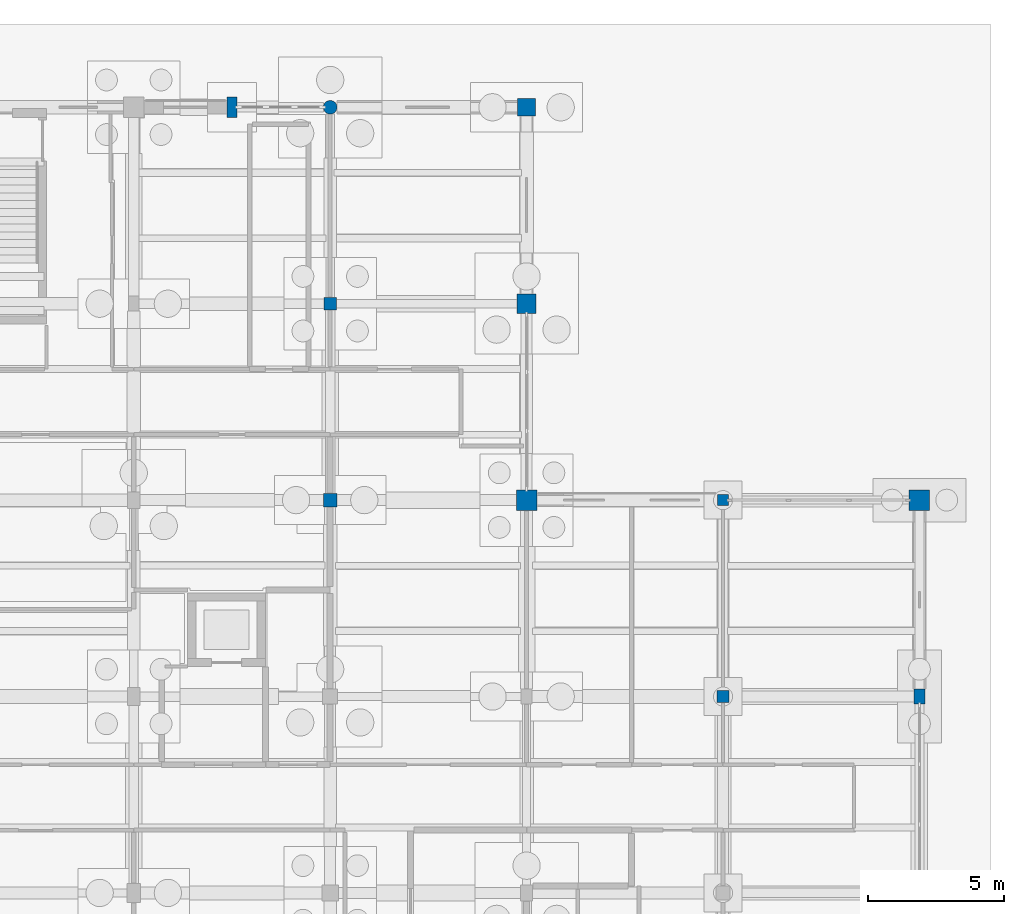
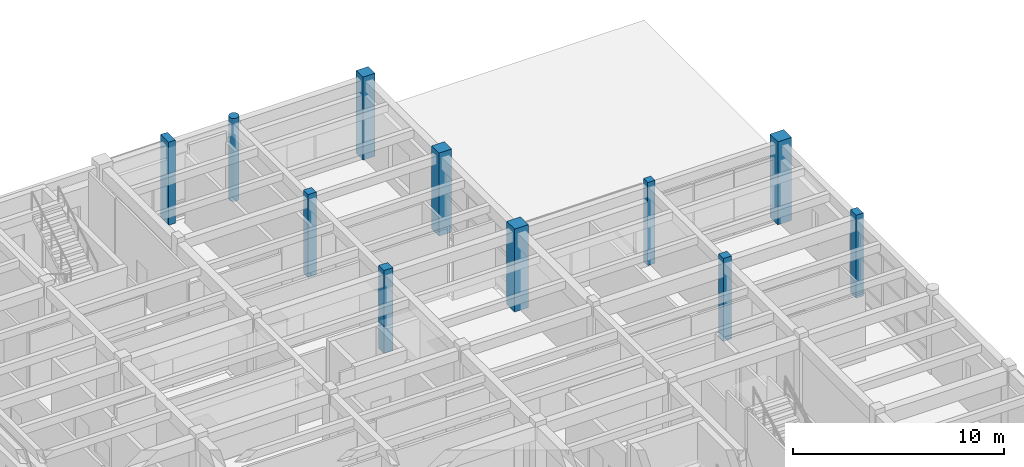
# One storey, part 31 of 143: 11 columns.
"""IFC4 building model written with IfcOpenShell, lengths in metres."""

from ifc_helpers import new_model, si_unit, direction, frame, origin, origin_2d, place, context, subcontext, project, spatial, rectangle, circle, extrude, material, material_profile, profile_set, type_object, element, save


model = new_model("IFC4")

# Units and contexts
model_context = context("Model", 3, precision=1e-05, world=origin(), true_north=direction((0.0, 1.0)))
body_context = subcontext(model_context, "Body", "Model", "MODEL_VIEW")
ifc_project = project(units=[si_unit("LENGTHUNIT", "METRE"), si_unit("AREAUNIT", "SQUARE_METRE"), si_unit("VOLUMEUNIT", "CUBIC_METRE"), si_unit("PLANEANGLEUNIT", "RADIAN"), si_unit("MASSUNIT", "GRAM", prefix="KILO")], contexts=[model_context])

# Site, building, storey
site_placement = place(None, origin())
site = spatial("IfcSite", under=ifc_project, at=site_placement, CompositionType="ELEMENT")
building_placement = place(site_placement, origin())
building = spatial("IfcBuilding", under=site, at=building_placement, Name="Steenspoor Specialist Clinic", CompositionType="ELEMENT")
storey_placement = place(building_placement, origin())
storey = spatial("IfcBuildingStorey", under=building, at=storey_placement, Name="L00", CompositionType="ELEMENT", Elevation=0.0)

# Columns
ifc_material = material(Name="Concrete C40/50", Category="concrete")
ifc_material_profile_1 = material_profile(ifc_material, rectangle(XDim=0.39990234375, YDim=0.39990234375, at=origin_2d()), Name="RC-COL-400X400")
ifc_profile_set_1 = profile_set([ifc_material_profile_1], Name="Concrete C40/50")
column_type_1 = type_object("IfcColumnType", Name="COL-RC-400", PredefinedType="COLUMN", material=ifc_profile_set_1)
column_1_placement = place(storey_placement, frame((154.0, 93.949951171875, 0.0), z_axis=(0.0, 0.0, 1.0), x_axis=(1.0, 0.0, 0.0)))
element("IfcColumn", 1, at=column_1_placement, inside=storey, type_object=column_type_1, Name="Column COL-L00-0821", PredefinedType="COLUMN", context=body_context, shape_type="SweptSolid", body=[
    extrude(rectangle(XDim=0.39990234375, YDim=0.39990234375, at=origin_2d()), origin(), (0.0, 0.0, 1.0), 4.800048828125),
])
ifc_material_profile_2 = material_profile(ifc_material, rectangle(XDim=0.39990234375, YDim=0.550048828125, at=origin_2d()), Name="RC-COL-400X550")
ifc_profile_set_2 = profile_set([ifc_material_profile_2], Name="Concrete C40/50")
column_type_2 = type_object("IfcColumnType", Name="COL-RC-400X550", PredefinedType="COLUMN", material=ifc_profile_set_2)
column_2_placement = place(storey_placement, frame((161.199951171875, 86.75, 0.0), z_axis=(0.0, 0.0, 1.0), x_axis=(1.0, 0.0, 0.0)))
element("IfcColumn", 2, at=column_2_placement, inside=storey, type_object=column_type_2, Name="Column COL-L00-0830", PredefinedType="COLUMN", context=body_context, shape_type="SweptSolid", body=[
    extrude(rectangle(XDim=0.39990234375, YDim=0.550048828125, at=origin_2d()), origin(), (0.0, 0.0, 1.0), 4.800048828125),
])
ifc_material_profile_3 = material_profile(ifc_material, rectangle(XDim=0.449951171875, YDim=0.449951171875, at=origin_2d()), Name="RC-COL-450X450")
ifc_profile_set_3 = profile_set([ifc_material_profile_3], Name="Concrete C40/50")
column_type_3 = type_object("IfcColumnType", Name="COL-RC-450", PredefinedType="COLUMN", material=ifc_profile_set_3)
for number, where, z_axis, x_axis, name in (
    (3, (139.60009765625, 101.14990234375, 0.0), (0.0, 0.0, 1.0), (1.0, 0.0, 0.0), "Column COL-L00-0769"),
    (4, (154.0, 86.75, 0.0), (0.0, 0.0, 1.0), (1.0, 0.0, 0.0), "Column COL-L00-0818"),
):
    element("IfcColumn", number, at=place(storey_placement, frame(where, z_axis=z_axis, x_axis=x_axis)), inside=storey, type_object=column_type_3, Name=name, PredefinedType="COLUMN", context=body_context, shape_type="SweptSolid", body=[
        extrude(rectangle(XDim=0.449951171875, YDim=0.449951171875, at=origin_2d()), origin(), (0.0, 0.0, 1.0), 4.800048828125),
    ])
ifc_material_profile_4 = material_profile(ifc_material, rectangle(XDim=0.5, YDim=0.5, at=origin_2d()), Name="RC-COL-500X500")
ifc_profile_set_4 = profile_set([ifc_material_profile_4], Name="Concrete C40/50")
column_type_4 = type_object("IfcColumnType", Name="COL-RC-500", PredefinedType="COLUMN", material=ifc_profile_set_4)
column_3_placement = place(storey_placement, frame((139.60009765625, 93.949951171875, 0.0), z_axis=(0.0, 0.0, 1.0), x_axis=(1.0, 0.0, 0.0)))
element("IfcColumn", 5, at=column_3_placement, inside=storey, type_object=column_type_4, Name="Column COL-L00-0764", PredefinedType="COLUMN", context=body_context, shape_type="SweptSolid", body=[
    extrude(rectangle(XDim=0.5, YDim=0.5, at=origin_2d()), origin(), (0.0, 0.0, 1.0), 4.800048828125),
])
ifc_material_profile_5 = material_profile(ifc_material, rectangle(XDim=0.64990234375, YDim=0.64990234375, at=origin_2d()), Name="RC-COL-650X650")
ifc_profile_set_5 = profile_set([ifc_material_profile_5], Name="Concrete C40/50")
column_type_5 = type_object("IfcColumnType", Name="COL-RC-650", PredefinedType="COLUMN", material=ifc_profile_set_5)
column_4_placement = place(storey_placement, frame((146.800048828125, 108.35009765625, 0.0), z_axis=(0.0, 0.0, 1.0), x_axis=(1.0, 0.0, 0.0)))
element("IfcColumn", 6, at=column_4_placement, inside=storey, type_object=column_type_5, Name="Column COL-L00-0805", PredefinedType="COLUMN", context=body_context, shape_type="SweptSolid", body=[
    extrude(rectangle(XDim=0.64990234375, YDim=0.64990234375, at=origin_2d()), origin(), (0.0, 0.0, 1.0), 4.800048828125),
])
ifc_material_profile_6 = material_profile(ifc_material, rectangle(XDim=0.699951171875, YDim=0.699951171875, at=origin_2d()), Name="RC-COL-700X700")
ifc_profile_set_6 = profile_set([ifc_material_profile_6], Name="Concrete C40/50")
column_type_6 = type_object("IfcColumnType", Name="COL-RC-700", PredefinedType="COLUMN", material=ifc_profile_set_6)
column_5_placement = place(storey_placement, frame((146.800048828125, 101.14990234375, 0.0), z_axis=(0.0, 0.0, 1.0), x_axis=(1.0, 0.0, 0.0)))
element("IfcColumn", 7, at=column_5_placement, inside=storey, type_object=column_type_6, Name="Column COL-L00-0801", PredefinedType="COLUMN", context=body_context, shape_type="SweptSolid", body=[
    extrude(rectangle(XDim=0.699951171875, YDim=0.699951171875, at=origin_2d()), origin(), (0.0, 0.0, 1.0), 4.800048828125),
])
ifc_material_profile_7 = material_profile(ifc_material, rectangle(XDim=0.75, YDim=0.75, at=origin_2d()), Name="RC-COL-750X750")
ifc_profile_set_7 = profile_set([ifc_material_profile_7], Name="Concrete C40/50")
column_type_7 = type_object("IfcColumnType", Name="COL-RC-750", PredefinedType="COLUMN", material=ifc_profile_set_7)
for number, where, z_axis, x_axis, name in (
    (8, (146.800048828125, 93.949951171875, 0.0), (0.0, 0.0, 1.0), (1.0, 0.0, 0.0), "Column COL-L00-0796"),
    (9, (161.199951171875, 93.949951171875, 0.0), (0.0, 0.0, 1.0), (1.0, 0.0, 0.0), "Column COL-L00-0832"),
):
    element("IfcColumn", number, at=place(storey_placement, frame(where, z_axis=z_axis, x_axis=x_axis)), inside=storey, type_object=column_type_7, Name=name, PredefinedType="COLUMN", context=body_context, shape_type="SweptSolid", body=[
        extrude(rectangle(XDim=0.75, YDim=0.75, at=origin_2d()), origin(), (0.0, 0.0, 1.0), 4.800048828125),
    ])
ifc_material_profile_8 = material_profile(ifc_material, circle(Radius=0.25, at=origin_2d()), Name="RC-COL-D500")
ifc_profile_set_8 = profile_set([ifc_material_profile_8], Name="Concrete C40/50")
column_type_8 = type_object("IfcColumnType", Name="COL-RC-D500", PredefinedType="COLUMN", material=ifc_profile_set_8)
column_6_placement = place(storey_placement, frame((139.60009765625, 108.35009765625, 0.0), z_axis=(0.0, 0.0, 1.0), x_axis=(1.0, 0.0, 0.0)))
element("IfcColumn", 10, at=column_6_placement, inside=storey, type_object=column_type_8, Name="Column COL-L00-0773", PredefinedType="COLUMN", context=body_context, shape_type="SweptSolid", body=[
    extrude(circle(Radius=0.25, at=origin_2d()), origin(), (0.0, 0.0, 1.0), 4.800048828125),
])
ifc_material_profile_9 = material_profile(ifc_material, rectangle(XDim=0.3798828125, YDim=0.760009765625, at=origin_2d()), Name="RC-PIL-380X760")
ifc_profile_set_9 = profile_set([ifc_material_profile_9], Name="Concrete C40/50")
column_type_9 = type_object("IfcColumnType", Name="PIL-RC-380X760", PredefinedType="PILASTER", material=ifc_profile_set_9)
column_7_placement = place(storey_placement, frame((136.0, 108.35009765625, 0.0), z_axis=(0.0, 0.0, 1.0), x_axis=(1.0, 0.0, 0.0)))
element("IfcColumn", 11, at=column_7_placement, inside=storey, type_object=column_type_9, Name="Brick Pilaster PIL-L00-042", PredefinedType="PILASTER", context=body_context, shape_type="SweptSolid", body=[
    extrude(rectangle(XDim=0.3798828125, YDim=0.760009765625, at=origin_2d()), origin(), (0.0, 0.0, 1.0), 4.800048828125),
])

save(model, "model.ifc")
